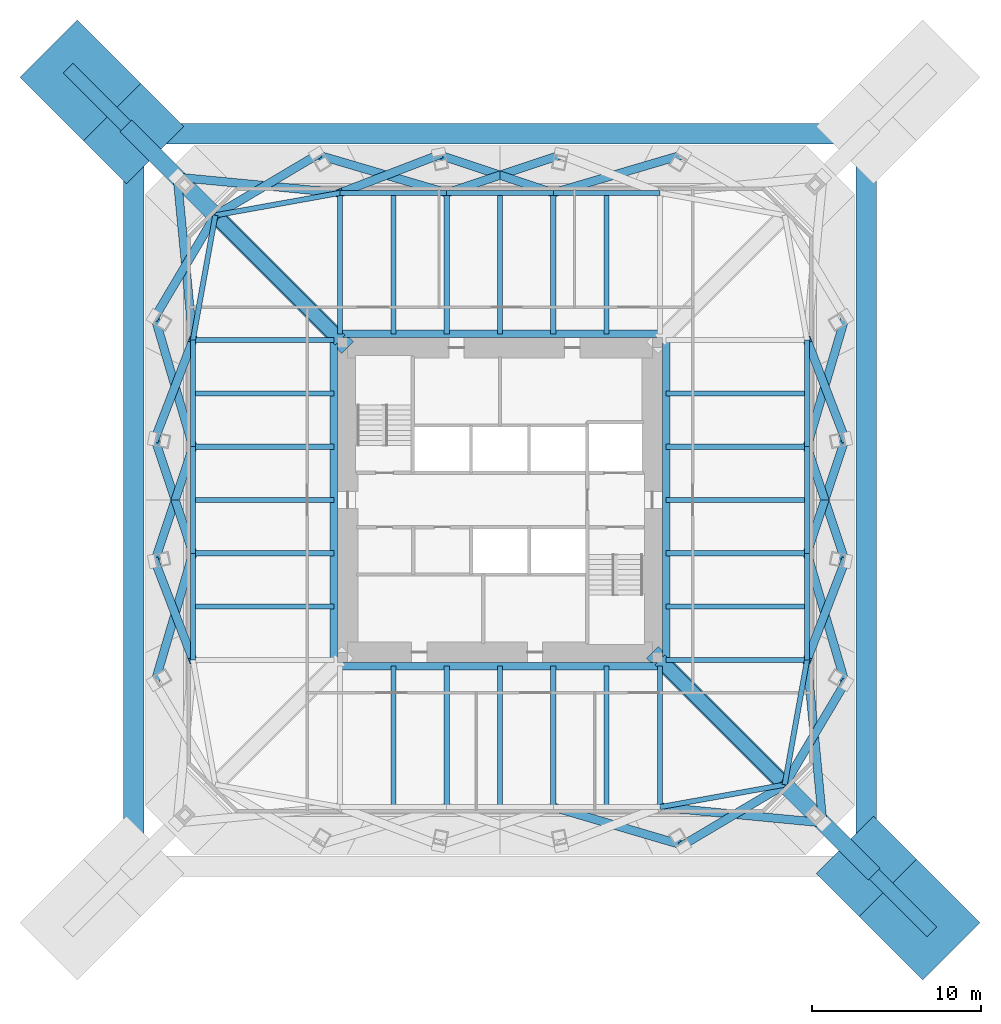
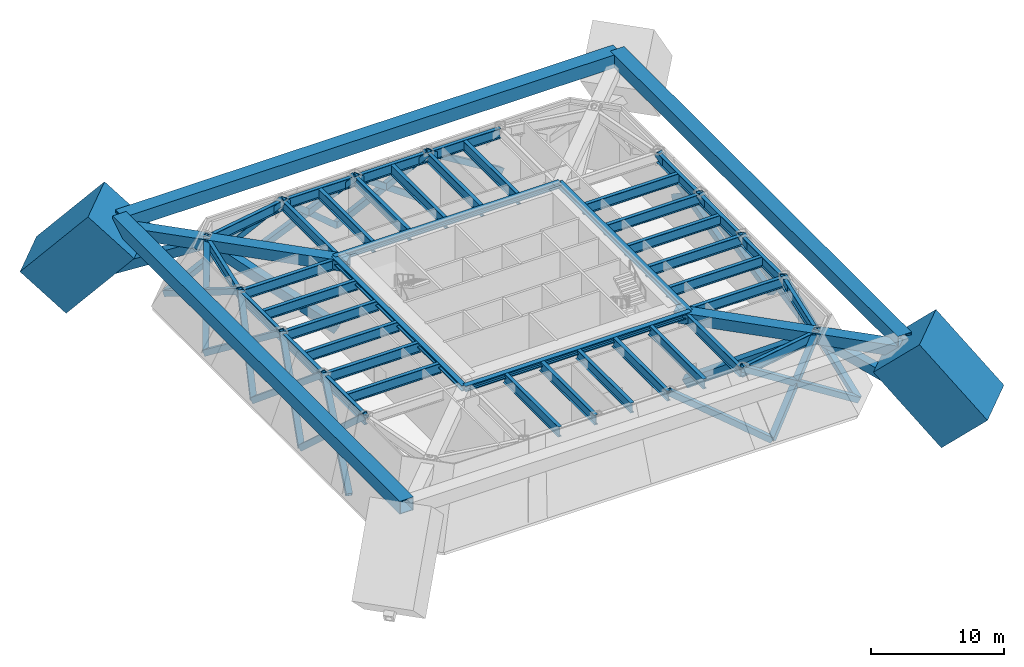
# One storey, part 2 of 6: 41 beams, 39 members.
"""IFC4 building model written with IfcOpenShell, lengths in metres."""

from ifc_helpers import new_model, si_unit, direction, frame, origin, origin_2d, place, context, subcontext, project, spatial, rectangle, hollow_rectangle, i_section, extrude, material, material_profile, profile_set, type_object, element, save


model = new_model("IFC4")

# Units and contexts
model_context = context("Model", 3, precision=1e-05, world=origin(), true_north=direction((0.0, 1.0)))
body_context = subcontext(model_context, "Body", "Model", "MODEL_VIEW")
ifc_project = project(units=[si_unit("LENGTHUNIT", "METRE"), si_unit("AREAUNIT", "SQUARE_METRE"), si_unit("VOLUMEUNIT", "CUBIC_METRE"), si_unit("PLANEANGLEUNIT", "RADIAN"), si_unit("MASSUNIT", "GRAM", prefix="KILO")], contexts=[model_context])

# Site, building, storey
site_placement = place(None, origin())
site = spatial("IfcSite", under=ifc_project, at=site_placement, CompositionType="ELEMENT")
building_placement = place(site_placement, origin())
building = spatial("IfcBuilding", under=site, at=building_placement, Name="Iwan Alto Co-Living Towers", CompositionType="ELEMENT")
storey_placement = place(building_placement, frame((0.0, 0.0, 143.5)))
storey = spatial("IfcBuildingStorey", under=building, at=storey_placement, Name="L39", CompositionType="ELEMENT", Elevation=143.5)

# Beams
ifc_material_1 = material(Name="Steel ASTM A992 Gr 50", Category="steel")
ifc_material_profile_1 = material_profile(ifc_material_1, i_section(OverallWidth=0.307373046875, OverallDepth=0.927001953125, WebThickness=0.01953125, FlangeThickness=0.031982421875, at=origin_2d()), Name="W36X194")
ifc_profile_set_1 = profile_set([ifc_material_profile_1], Name="Steel ASTM A992 Gr 50")
beam_type_1 = type_object("IfcBeamType", Name="T1 BELT TRUSS CHORD W36X194", PredefinedType="BEAM", material=ifc_profile_set_1)
for number, where, z_axis, x_axis, name in (
    (1, (9.449951171875, -18.14990234375, 5.306396484375), (0.98426263553, 0.17671181143, 0.0), (-0.17671181143, 0.98426263553, 0.0), "T1 edge beam S4 L40"),
    (2, (16.82568359375, -16.82568359375, 5.306396484375), (0.17671181143, 0.98426263553, 0.0), (-0.98426263553, 0.17671181143, 0.0), "T1 edge beam CSE L40"),
):
    element("IfcBeam", number, at=place(storey_placement, frame(where, z_axis=z_axis, x_axis=x_axis)), inside=storey, type_object=beam_type_1, Name=name, PredefinedType="BEAM", context=body_context, shape_type="SweptSolid", body=[
        extrude(i_section(OverallWidth=0.307373046875, OverallDepth=0.927001953125, WebThickness=0.01953125, FlangeThickness=0.031982421875, at=origin_2d()), origin(), (0.0, 0.0, 1.0), 7.49365234375),
    ])
beam_1_placement = place(storey_placement, frame((18.14990234375, -9.449951171875, 5.306396484375), z_axis=(0.0, 1.0, 0.0), x_axis=(-1.0, 0.0, 0.0)))
element("IfcBeam", 3, at=beam_1_placement, inside=storey, type_object=beam_type_1, Name="T1 edge beam E1 L40", PredefinedType="BEAM", context=body_context, shape_type="SweptSolid", body=[
    extrude(i_section(OverallWidth=0.307373046875, OverallDepth=0.927001953125, WebThickness=0.01953125, FlangeThickness=0.031982421875, at=origin_2d()), origin(), (0.0, 0.0, 1.0), 6.300048828125),
])
beam_2_placement = place(storey_placement, frame((18.14990234375, -3.14990234375, 5.306396484375), z_axis=(0.0, 1.0, 0.0), x_axis=(-1.0, 0.0, 0.0)))
element("IfcBeam", 4, at=beam_2_placement, inside=storey, type_object=beam_type_1, Name="T1 edge beam E2 L40", PredefinedType="BEAM", context=body_context, shape_type="SweptSolid", body=[
    extrude(i_section(OverallWidth=0.307373046875, OverallDepth=0.927001953125, WebThickness=0.01953125, FlangeThickness=0.031982421875, at=origin_2d()), origin(), (0.0, 0.0, 1.0), 6.2998046875),
])
for number, where, z_axis, x_axis, name in (
    (5, (18.14990234375, 3.14990234375, 5.306396484375), (0.0, 1.0, 0.0), (-1.0, 0.0, 0.0), "T1 edge beam E3 L40"),
    (6, (9.449951171875, 18.14990234375, 5.306396484375), (-1.0, 0.0, 0.0), (0.0, -1.0, 0.0), "T1 edge beam N1 L40"),
):
    element("IfcBeam", number, at=place(storey_placement, frame(where, z_axis=z_axis, x_axis=x_axis)), inside=storey, type_object=beam_type_1, Name=name, PredefinedType="BEAM", context=body_context, shape_type="SweptSolid", body=[
        extrude(i_section(OverallWidth=0.307373046875, OverallDepth=0.927001953125, WebThickness=0.01953125, FlangeThickness=0.031982421875, at=origin_2d()), origin(), (0.0, 0.0, 1.0), 6.300048828125),
    ])
beam_3_placement = place(storey_placement, frame((3.14990234375, 18.14990234375, 5.306396484375), z_axis=(-1.0, 0.0, 0.0), x_axis=(0.0, -1.0, 0.0)))
element("IfcBeam", 7, at=beam_3_placement, inside=storey, type_object=beam_type_1, Name="T1 edge beam N2 L40", PredefinedType="BEAM", context=body_context, shape_type="SweptSolid", body=[
    extrude(i_section(OverallWidth=0.307373046875, OverallDepth=0.927001953125, WebThickness=0.01953125, FlangeThickness=0.031982421875, at=origin_2d()), origin(), (0.0, 0.0, 1.0), 6.2998046875),
])
beam_4_placement = place(storey_placement, frame((-3.14990234375, 18.14990234375, 5.306396484375), z_axis=(-1.0, 0.0, 0.0), x_axis=(0.0, -1.0, 0.0)))
element("IfcBeam", 8, at=beam_4_placement, inside=storey, type_object=beam_type_1, Name="T1 edge beam N3 L40", PredefinedType="BEAM", context=body_context, shape_type="SweptSolid", body=[
    extrude(i_section(OverallWidth=0.307373046875, OverallDepth=0.927001953125, WebThickness=0.01953125, FlangeThickness=0.031982421875, at=origin_2d()), origin(), (0.0, 0.0, 1.0), 6.300048828125),
])
for number, where, z_axis, x_axis, name in (
    (9, (-9.449951171875, 18.14990234375, 5.306396484375), (-0.98426263553, -0.17671181143, 0.0), (0.17671181143, -0.98426263553, 0.0), "T1 edge beam N4 L40"),
    (10, (-16.82568359375, 16.82568359375, 5.306396484375), (-0.17671181143, -0.98426263553, 0.0), (0.98426263553, -0.17671181143, 0.0), "T1 edge beam CNW L40"),
):
    element("IfcBeam", number, at=place(storey_placement, frame(where, z_axis=z_axis, x_axis=x_axis)), inside=storey, type_object=beam_type_1, Name=name, PredefinedType="BEAM", context=body_context, shape_type="SweptSolid", body=[
        extrude(i_section(OverallWidth=0.307373046875, OverallDepth=0.927001953125, WebThickness=0.01953125, FlangeThickness=0.031982421875, at=origin_2d()), origin(), (0.0, 0.0, 1.0), 7.49365234375),
    ])
beam_5_placement = place(storey_placement, frame((-18.14990234375, 9.449951171875, 5.306396484375), z_axis=(0.0, -1.0, 0.0), x_axis=(1.0, 0.0, 0.0)))
element("IfcBeam", 11, at=beam_5_placement, inside=storey, type_object=beam_type_1, Name="T1 edge beam W1 L40", PredefinedType="BEAM", context=body_context, shape_type="SweptSolid", body=[
    extrude(i_section(OverallWidth=0.307373046875, OverallDepth=0.927001953125, WebThickness=0.01953125, FlangeThickness=0.031982421875, at=origin_2d()), origin(), (0.0, 0.0, 1.0), 6.300048828125),
])
beam_6_placement = place(storey_placement, frame((-18.14990234375, 3.14990234375, 5.306396484375), z_axis=(0.0, -1.0, 0.0), x_axis=(1.0, 0.0, 0.0)))
element("IfcBeam", 12, at=beam_6_placement, inside=storey, type_object=beam_type_1, Name="T1 edge beam W2 L40", PredefinedType="BEAM", context=body_context, shape_type="SweptSolid", body=[
    extrude(i_section(OverallWidth=0.307373046875, OverallDepth=0.927001953125, WebThickness=0.01953125, FlangeThickness=0.031982421875, at=origin_2d()), origin(), (0.0, 0.0, 1.0), 6.2998046875),
])
beam_7_placement = place(storey_placement, frame((-18.14990234375, -3.14990234375, 5.306396484375), z_axis=(0.0, -1.0, 0.0), x_axis=(1.0, 0.0, 0.0)))
element("IfcBeam", 13, at=beam_7_placement, inside=storey, type_object=beam_type_1, Name="T1 edge beam W3 L40", PredefinedType="BEAM", context=body_context, shape_type="SweptSolid", body=[
    extrude(i_section(OverallWidth=0.307373046875, OverallDepth=0.927001953125, WebThickness=0.01953125, FlangeThickness=0.031982421875, at=origin_2d()), origin(), (0.0, 0.0, 1.0), 6.300048828125),
])

# Members
ifc_material_2 = material(Name="Steel ASTM A572 Gr 50", Category="steel")
ifc_material_profile_2 = material_profile(ifc_material_2, hollow_rectangle(XDim=0.5, YDim=0.5, WallThickness=0.031982421875, at=origin_2d()), Name="BOX 500X500X32")
ifc_profile_set_2 = profile_set([ifc_material_profile_2], Name="Steel ASTM A572 Gr 50")
member_type_1 = type_object("IfcMemberType", Name="T1 BELT TRUSS DIAGONAL BOX 500X500X32", PredefinedType="BRACE", material=ifc_profile_set_2)
member_1_placement = place(storey_placement, frame((10.800048828125, -20.39990234375, 0.0), z_axis=(-0.780478146102, 0.229548000462, 0.58151661966), x_axis=(-0.28216135125, -0.959366964128, 0.0)))
element("IfcMember", 14, at=member_1_placement, inside=storey, type_object=member_type_1, Name="T1 belt truss diagonal S3 L39 2", PredefinedType="BRACE", context=body_context, shape_type="SweptSolid", body=[
    extrude(hollow_rectangle(XDim=0.5, YDim=0.5, WallThickness=0.031982421875, at=origin_2d()), origin(), (0.0, 0.0, 1.0), 9.8017578125),
])
member_2_placement = place(storey_placement, frame((10.800048828125, -20.39990234375, 0.0), z_axis=(0.667160357396, 0.395738731505, 0.631100557681), x_axis=(-0.510169146112, 0.860074091201, 0.0)))
element("IfcMember", 15, at=member_2_placement, inside=storey, type_object=member_type_1, Name="T1 belt truss diagonal S4 L39 1", PredefinedType="BRACE", context=body_context, shape_type="SweptSolid", body=[
    extrude(hollow_rectangle(XDim=0.5, YDim=0.5, WallThickness=0.031982421875, at=origin_2d()), origin(), (0.0, 0.0, 1.0), 9.03173828125),
])
for number, where, z_axis, x_axis, name in (
    (16, (19.07568359375, -19.07568359375, 0.0), (-0.857524184509, 0.082474743391, 0.507789513169), (-0.09573597896, -0.99540676225, 0.0), "T1 belt truss diagonal S4 L39 2"),
    (17, (19.07568359375, -19.07568359375, 0.0), (-0.082474743391, 0.857524184509, 0.507789513169), (-0.99540676225, -0.09573597896, 0.0), "T1 belt truss diagonal CSE L39 1"),
):
    element("IfcMember", number, at=place(storey_placement, frame(where, z_axis=z_axis, x_axis=x_axis)), inside=storey, type_object=member_type_1, Name=name, PredefinedType="BRACE", context=body_context, shape_type="SweptSolid", body=[
        extrude(hollow_rectangle(XDim=0.5, YDim=0.5, WallThickness=0.031982421875, at=origin_2d()), origin(), (0.0, 0.0, 1.0), 11.22509765625),
    ])
member_3_placement = place(storey_placement, frame((20.39990234375, -10.800048828125, 0.0), z_axis=(-0.395738731505, -0.667160357396, 0.631100557681), x_axis=(0.860074091201, -0.510169146112, 0.0)))
element("IfcMember", 18, at=member_3_placement, inside=storey, type_object=member_type_1, Name="T1 belt truss diagonal CSE L39 2", PredefinedType="BRACE", context=body_context, shape_type="SweptSolid", body=[
    extrude(hollow_rectangle(XDim=0.5, YDim=0.5, WallThickness=0.031982421875, at=origin_2d()), origin(), (0.0, 0.0, 1.0), 9.03173828125),
])
member_4_placement = place(storey_placement, frame((20.39990234375, -10.800048828125, 0.0), z_axis=(-0.229548000462, 0.780478146102, 0.58151661966), x_axis=(-0.959366964128, -0.28216135125, 0.0)))
element("IfcMember", 19, at=member_4_placement, inside=storey, type_object=member_type_1, Name="T1 belt truss diagonal E1 L39 1", PredefinedType="BRACE", context=body_context, shape_type="SweptSolid", body=[
    extrude(hollow_rectangle(XDim=0.5, YDim=0.5, WallThickness=0.031982421875, at=origin_2d()), origin(), (0.0, 0.0, 1.0), 9.8017578125),
])
member_5_placement = place(storey_placement, frame((20.39990234375, -3.60009765625, 0.0), z_axis=(-0.265584537622, -0.690502507157, 0.672808398422), x_axis=(0.933342594373, -0.358986909968, 0.0)))
element("IfcMember", 20, at=member_5_placement, inside=storey, type_object=member_type_1, Name="T1 belt truss diagonal E1 L39 2", PredefinedType="BRACE", context=body_context, shape_type="SweptSolid", body=[
    extrude(hollow_rectangle(XDim=0.5, YDim=0.5, WallThickness=0.031982421875, at=origin_2d()), origin(), (0.0, 0.0, 1.0), 8.471923828125),
])
for number, where, z_axis, x_axis, name in (
    (21, (20.39990234375, -3.60009765625, 0.0), (-0.246799495612, 0.740398486837, 0.625220032993), (-0.948683298051, -0.316227766017, 0.0), "T1 belt truss diagonal E2 L39 1"),
    (22, (20.39990234375, 3.60009765625, 0.0), (-0.246799495612, -0.740398486837, 0.625220032993), (0.948683298051, -0.316227766017, 0.0), "T1 belt truss diagonal E2 L39 2"),
):
    element("IfcMember", number, at=place(storey_placement, frame(where, z_axis=z_axis, x_axis=x_axis)), inside=storey, type_object=member_type_1, Name=name, PredefinedType="BRACE", context=body_context, shape_type="SweptSolid", body=[
        extrude(hollow_rectangle(XDim=0.5, YDim=0.5, WallThickness=0.031982421875, at=origin_2d()), origin(), (0.0, 0.0, 1.0), 9.11669921875),
    ])
member_6_placement = place(storey_placement, frame((20.39990234375, 3.60009765625, 0.0), z_axis=(-0.265584537622, 0.690502507157, 0.672808398422), x_axis=(-0.933342594373, -0.358986909968, 0.0)))
element("IfcMember", 23, at=member_6_placement, inside=storey, type_object=member_type_1, Name="T1 belt truss diagonal E3 L39 1", PredefinedType="BRACE", context=body_context, shape_type="SweptSolid", body=[
    extrude(hollow_rectangle(XDim=0.5, YDim=0.5, WallThickness=0.031982421875, at=origin_2d()), origin(), (0.0, 0.0, 1.0), 8.471923828125),
])
for number, where, z_axis, x_axis, name in (
    (24, (20.39990234375, 10.800048828125, 0.0), (-0.229548000462, -0.780478146102, 0.58151661966), (0.959366964128, -0.28216135125, 0.0), "T1 belt truss diagonal E3 L39 2"),
    (25, (10.800048828125, 20.39990234375, 0.0), (-0.780478146102, -0.229548000462, 0.58151661966), (0.28216135125, -0.959366964128, 0.0), "T1 belt truss diagonal N1 L39 1"),
):
    element("IfcMember", number, at=place(storey_placement, frame(where, z_axis=z_axis, x_axis=x_axis)), inside=storey, type_object=member_type_1, Name=name, PredefinedType="BRACE", context=body_context, shape_type="SweptSolid", body=[
        extrude(hollow_rectangle(XDim=0.5, YDim=0.5, WallThickness=0.031982421875, at=origin_2d()), origin(), (0.0, 0.0, 1.0), 9.8017578125),
    ])
for number, where, z_axis, x_axis, name in (
    (26, (3.60009765625, 20.39990234375, 0.0), (-0.740398486837, -0.246799495612, 0.625220032993), (0.316227766017, -0.948683298051, 0.0), "T1 belt truss diagonal N2 L39 1"),
    (27, (-3.60009765625, 20.39990234375, 0.0), (0.740398486837, -0.246799495612, 0.625220032993), (0.316227766017, 0.948683298051, 0.0), "T1 belt truss diagonal N2 L39 2"),
):
    element("IfcMember", number, at=place(storey_placement, frame(where, z_axis=z_axis, x_axis=x_axis)), inside=storey, type_object=member_type_1, Name=name, PredefinedType="BRACE", context=body_context, shape_type="SweptSolid", body=[
        extrude(hollow_rectangle(XDim=0.5, YDim=0.5, WallThickness=0.031982421875, at=origin_2d()), origin(), (0.0, 0.0, 1.0), 9.11669921875),
    ])
member_7_placement = place(storey_placement, frame((-3.60009765625, 20.39990234375, 0.0), z_axis=(-0.690502507157, -0.265584537622, 0.672808398422), x_axis=(0.358986909968, -0.933342594373, 0.0)))
element("IfcMember", 28, at=member_7_placement, inside=storey, type_object=member_type_1, Name="T1 belt truss diagonal N3 L39 1", PredefinedType="BRACE", context=body_context, shape_type="SweptSolid", body=[
    extrude(hollow_rectangle(XDim=0.5, YDim=0.5, WallThickness=0.031982421875, at=origin_2d()), origin(), (0.0, 0.0, 1.0), 8.471923828125),
])
member_8_placement = place(storey_placement, frame((-10.800048828125, 20.39990234375, 0.0), z_axis=(0.780478146102, -0.229548000462, 0.58151661966), x_axis=(0.28216135125, 0.959366964128, 0.0)))
element("IfcMember", 29, at=member_8_placement, inside=storey, type_object=member_type_1, Name="T1 belt truss diagonal N3 L39 2", PredefinedType="BRACE", context=body_context, shape_type="SweptSolid", body=[
    extrude(hollow_rectangle(XDim=0.5, YDim=0.5, WallThickness=0.031982421875, at=origin_2d()), origin(), (0.0, 0.0, 1.0), 9.8017578125),
])
member_9_placement = place(storey_placement, frame((-10.800048828125, 20.39990234375, 0.0), z_axis=(-0.667160357396, -0.395738731505, 0.631100557681), x_axis=(0.510169146112, -0.860074091201, 0.0)))
element("IfcMember", 30, at=member_9_placement, inside=storey, type_object=member_type_1, Name="T1 belt truss diagonal N4 L39 1", PredefinedType="BRACE", context=body_context, shape_type="SweptSolid", body=[
    extrude(hollow_rectangle(XDim=0.5, YDim=0.5, WallThickness=0.031982421875, at=origin_2d()), origin(), (0.0, 0.0, 1.0), 9.03173828125),
])
for number, where, z_axis, x_axis, name in (
    (31, (-19.07568359375, 19.07568359375, 0.0), (0.857524184509, -0.082474743391, 0.507789513169), (0.09573597896, 0.99540676225, 0.0), "T1 belt truss diagonal N4 L39 2"),
    (32, (-19.07568359375, 19.07568359375, 0.0), (0.082474743391, -0.857524184509, 0.507789513169), (0.99540676225, 0.09573597896, 0.0), "T1 belt truss diagonal CNW L39 1"),
):
    element("IfcMember", number, at=place(storey_placement, frame(where, z_axis=z_axis, x_axis=x_axis)), inside=storey, type_object=member_type_1, Name=name, PredefinedType="BRACE", context=body_context, shape_type="SweptSolid", body=[
        extrude(hollow_rectangle(XDim=0.5, YDim=0.5, WallThickness=0.031982421875, at=origin_2d()), origin(), (0.0, 0.0, 1.0), 11.22509765625),
    ])
member_10_placement = place(storey_placement, frame((-20.39990234375, 10.800048828125, 0.0), z_axis=(0.395738731505, 0.667160357396, 0.631100557681), x_axis=(-0.860074091201, 0.510169146112, 0.0)))
element("IfcMember", 33, at=member_10_placement, inside=storey, type_object=member_type_1, Name="T1 belt truss diagonal CNW L39 2", PredefinedType="BRACE", context=body_context, shape_type="SweptSolid", body=[
    extrude(hollow_rectangle(XDim=0.5, YDim=0.5, WallThickness=0.031982421875, at=origin_2d()), origin(), (0.0, 0.0, 1.0), 9.03173828125),
])
member_11_placement = place(storey_placement, frame((-20.39990234375, 10.800048828125, 0.0), z_axis=(0.229548000462, -0.780478146102, 0.58151661966), x_axis=(0.959366964128, 0.28216135125, 0.0)))
element("IfcMember", 34, at=member_11_placement, inside=storey, type_object=member_type_1, Name="T1 belt truss diagonal W1 L39 1", PredefinedType="BRACE", context=body_context, shape_type="SweptSolid", body=[
    extrude(hollow_rectangle(XDim=0.5, YDim=0.5, WallThickness=0.031982421875, at=origin_2d()), origin(), (0.0, 0.0, 1.0), 9.8017578125),
])
member_12_placement = place(storey_placement, frame((-20.39990234375, 3.60009765625, 0.0), z_axis=(0.265584537622, 0.690502507157, 0.672808398422), x_axis=(-0.933342594373, 0.358986909968, 0.0)))
element("IfcMember", 35, at=member_12_placement, inside=storey, type_object=member_type_1, Name="T1 belt truss diagonal W1 L39 2", PredefinedType="BRACE", context=body_context, shape_type="SweptSolid", body=[
    extrude(hollow_rectangle(XDim=0.5, YDim=0.5, WallThickness=0.031982421875, at=origin_2d()), origin(), (0.0, 0.0, 1.0), 8.471923828125),
])
for number, where, z_axis, x_axis, name in (
    (36, (-20.39990234375, 3.60009765625, 0.0), (0.246799495612, -0.740398486837, 0.625220032993), (0.948683298051, 0.316227766017, 0.0), "T1 belt truss diagonal W2 L39 1"),
    (37, (-20.39990234375, -3.60009765625, 0.0), (0.246799495612, 0.740398486837, 0.625220032993), (-0.948683298051, 0.316227766017, 0.0), "T1 belt truss diagonal W2 L39 2"),
):
    element("IfcMember", number, at=place(storey_placement, frame(where, z_axis=z_axis, x_axis=x_axis)), inside=storey, type_object=member_type_1, Name=name, PredefinedType="BRACE", context=body_context, shape_type="SweptSolid", body=[
        extrude(hollow_rectangle(XDim=0.5, YDim=0.5, WallThickness=0.031982421875, at=origin_2d()), origin(), (0.0, 0.0, 1.0), 9.11669921875),
    ])
member_13_placement = place(storey_placement, frame((-20.39990234375, -3.60009765625, 0.0), z_axis=(0.265584537622, -0.690502507157, 0.672808398422), x_axis=(0.933342594373, 0.358986909968, 0.0)))
element("IfcMember", 38, at=member_13_placement, inside=storey, type_object=member_type_1, Name="T1 belt truss diagonal W3 L39 1", PredefinedType="BRACE", context=body_context, shape_type="SweptSolid", body=[
    extrude(hollow_rectangle(XDim=0.5, YDim=0.5, WallThickness=0.031982421875, at=origin_2d()), origin(), (0.0, 0.0, 1.0), 8.471923828125),
])
member_14_placement = place(storey_placement, frame((-20.39990234375, -10.800048828125, 0.0), z_axis=(0.229548000462, 0.780478146102, 0.58151661966), x_axis=(-0.959366964128, 0.28216135125, 0.0)))
element("IfcMember", 39, at=member_14_placement, inside=storey, type_object=member_type_1, Name="T1 belt truss diagonal W3 L39 2", PredefinedType="BRACE", context=body_context, shape_type="SweptSolid", body=[
    extrude(hollow_rectangle(XDim=0.5, YDim=0.5, WallThickness=0.031982421875, at=origin_2d()), origin(), (0.0, 0.0, 1.0), 9.8017578125),
])

# Beams
ifc_material_3 = material(Name="Steel ASTM A992 Gr 50", Category="steel")
ifc_material_profile_3 = material_profile(ifc_material_3, i_section(OverallWidth=0.436767578125, OverallDepth=0.51318359375, WebThickness=0.060546875, FlangeThickness=0.096923828125, at=origin_2d()), Name="W14X550")
ifc_profile_set_3 = profile_set([ifc_material_profile_3], Name="Steel ASTM A992 Gr 50")
beam_type_2 = type_object("IfcBeamType", Name="T1 CORE LEDGER BEAM W14X550", PredefinedType="BEAM", material=ifc_profile_set_3)
for number, where, z_axis, x_axis, name in (
    (40, (-9.818359375, -9.818359375, 5.513427734375), (1.0, 0.0, 0.0), (0.0, 1.0, 0.0), "T1 core ledger beam S L40"),
    (41, (9.818359375, -9.818359375, 5.513427734375), (0.0, 1.0, 0.0), (-1.0, 0.0, 0.0), "T1 core ledger beam E L40"),
    (42, (9.818359375, 9.818359375, 5.513427734375), (-1.0, 0.0, 0.0), (0.0, -1.0, 0.0), "T1 core ledger beam N L40"),
    (43, (-9.818359375, 9.818359375, 5.513427734375), (0.0, -1.0, 0.0), (1.0, 0.0, 0.0), "T1 core ledger beam W L40"),
):
    element("IfcBeam", number, at=place(storey_placement, frame(where, z_axis=z_axis, x_axis=x_axis)), inside=storey, type_object=beam_type_2, Name=name, PredefinedType="BEAM", context=body_context, shape_type="SweptSolid", body=[
        extrude(i_section(OverallWidth=0.436767578125, OverallDepth=0.51318359375, WebThickness=0.060546875, FlangeThickness=0.096923828125, at=origin_2d()), origin(), (0.0, 0.0, 1.0), 19.63671875),
    ])

# Members
ifc_material_4 = material(Name="Steel ASTM A572 Gr 50", Category="steel")
ifc_material_profile_4 = material_profile(ifc_material_4, hollow_rectangle(XDim=1.199951171875, YDim=1.199951171875, WallThickness=0.070068359375, at=origin_2d()), Name="BOX 1200X1200X70")
ifc_profile_set_4 = profile_set([ifc_material_profile_4], Name="Steel ASTM A572 Gr 50")
member_type_2 = type_object("IfcMemberType", Name="T1 MEGA BELT TIE BOX 1200X1200X70", PredefinedType="STRUT", material=ifc_profile_set_4)
for number, where, z_axis, x_axis, name in (
    (44, (21.64990234375, -21.64990234375, 6.0), (0.0, 1.0, 0.0), (-1.0, 0.0, 0.0), "T1 mega belt tie E L40"),
    (45, (21.64990234375, 21.64990234375, 6.0), (-1.0, 0.0, 0.0), (0.0, -1.0, 0.0), "T1 mega belt tie N L40"),
    (46, (-21.64990234375, 21.64990234375, 6.0), (0.0, -1.0, 0.0), (1.0, 0.0, 0.0), "T1 mega belt tie W L40"),
):
    element("IfcMember", number, at=place(storey_placement, frame(where, z_axis=z_axis, x_axis=x_axis)), inside=storey, type_object=member_type_2, Name=name, PredefinedType="STRUT", context=body_context, shape_type="SweptSolid", body=[
        extrude(hollow_rectangle(XDim=1.199951171875, YDim=1.199951171875, WallThickness=0.070068359375, at=origin_2d()), origin(), (0.0, 0.0, 1.0), 43.2998046875),
    ])
ifc_material_5 = material(Name="Steel ASTM A572 Gr 50", Category="steel")
ifc_material_profile_5 = material_profile(ifc_material_5, hollow_rectangle(XDim=1.0, YDim=1.0, WallThickness=0.070068359375, at=origin_2d()), Name="BOX 1000X1000X70")
ifc_profile_set_5 = profile_set([ifc_material_profile_5], Name="Steel ASTM A572 Gr 50")
member_type_3 = type_object("IfcMemberType", Name="T1 OUTRIGGER CHORD BOX 1000X1000X70", PredefinedType="CHORD", material=ifc_profile_set_5)
member_15_placement = place(storey_placement, frame((9.0, -9.0, 5.27001953125), z_axis=(0.707106781187, -0.707106781187, 0.0), x_axis=(0.707106781187, 0.707106781187, 0.0)))
element("IfcMember", 47, at=member_15_placement, inside=storey, type_object=member_type_3, Name="T1 outrigger SE L39 top chord 1", PredefinedType="CHORD", context=body_context, shape_type="SweptSolid", body=[
    extrude(hollow_rectangle(XDim=1.0, YDim=1.0, WallThickness=0.070068359375, at=origin_2d()), origin(), (0.0, 0.0, 1.0), 11.067138671875),
])
member_16_placement = place(storey_placement, frame((16.82568359375, -16.82568359375, 5.27001953125), z_axis=(0.707106781187, -0.707106781187, 0.0), x_axis=(0.707106781187, 0.707106781187, 0.0)))
element("IfcMember", 48, at=member_16_placement, inside=storey, type_object=member_type_3, Name="T1 outrigger SE L39 top chord 2", PredefinedType="CHORD", context=body_context, shape_type="SweptSolid", body=[
    extrude(hollow_rectangle(XDim=1.0, YDim=1.0, WallThickness=0.070068359375, at=origin_2d()), origin(), (0.0, 0.0, 1.0), 7.4677734375),
])
member_17_placement = place(storey_placement, frame((-9.0, 9.0, 5.27001953125), z_axis=(-0.707106781187, 0.707106781187, 0.0), x_axis=(-0.707106781187, -0.707106781187, 0.0)))
element("IfcMember", 49, at=member_17_placement, inside=storey, type_object=member_type_3, Name="T1 outrigger NW L39 top chord 1", PredefinedType="CHORD", context=body_context, shape_type="SweptSolid", body=[
    extrude(hollow_rectangle(XDim=1.0, YDim=1.0, WallThickness=0.070068359375, at=origin_2d()), origin(), (0.0, 0.0, 1.0), 11.067138671875),
])
member_18_placement = place(storey_placement, frame((-16.82568359375, 16.82568359375, 5.27001953125), z_axis=(-0.707106781187, 0.707106781187, 0.0), x_axis=(-0.707106781187, -0.707106781187, 0.0)))
element("IfcMember", 50, at=member_18_placement, inside=storey, type_object=member_type_3, Name="T1 outrigger NW L39 top chord 2", PredefinedType="CHORD", context=body_context, shape_type="SweptSolid", body=[
    extrude(hollow_rectangle(XDim=1.0, YDim=1.0, WallThickness=0.070068359375, at=origin_2d()), origin(), (0.0, 0.0, 1.0), 7.4677734375),
])
ifc_material_6 = material(Name="Steel ASTM A572 Gr 42", Category="steel")
ifc_material_profile_6 = material_profile(ifc_material_6, hollow_rectangle(XDim=0.800048828125, YDim=0.800048828125, WallThickness=0.139892578125, at=origin_2d()), Name="BOX 800X800X140")
ifc_profile_set_6 = profile_set([ifc_material_profile_6], Name="Steel ASTM A572 Gr 42")
member_type_4 = type_object("IfcMemberType", Name="T1 OUTRIGGER DIAGONAL BOX 800X800X140", PredefinedType="BRACE", material=ifc_profile_set_6)
member_19_placement = place(storey_placement, frame((9.60009765625, -9.60009765625, -0.800048828125), z_axis=(0.607935427787, -0.607935427787, 0.51071423642), x_axis=(0.707106781187, 0.707106781187, 0.0)))
element("IfcMember", 51, at=member_19_placement, inside=storey, type_object=member_type_4, Name="T1 outrigger SE L39 diagonal 1", PredefinedType="BRACE", context=body_context, shape_type="SweptSolid", body=[
    extrude(hollow_rectangle(XDim=0.800048828125, YDim=0.800048828125, WallThickness=0.139892578125, at=origin_2d()), origin(), (0.0, 0.0, 1.0), 11.885498046875),
])
member_20_placement = place(storey_placement, frame((16.82568359375, -16.82568359375, 5.27001953125), z_axis=(0.632305696112, -0.632305696112, -0.447637144716), x_axis=(0.707106781187, 0.707106781187, 0.0)))
element("IfcMember", 52, at=member_20_placement, inside=storey, type_object=member_type_4, Name="T1 outrigger SE L39 diagonal 2", PredefinedType="BRACE", context=body_context, shape_type="SweptSolid", body=[
    extrude(hollow_rectangle(XDim=0.800048828125, YDim=0.800048828125, WallThickness=0.139892578125, at=origin_2d()), origin(), (0.0, 0.0, 1.0), 13.560302734375),
])
member_21_placement = place(storey_placement, frame((-9.60009765625, 9.60009765625, -0.800048828125), z_axis=(-0.607935427787, 0.607935427787, 0.51071423642), x_axis=(-0.707106781187, -0.707106781187, 0.0)))
element("IfcMember", 53, at=member_21_placement, inside=storey, type_object=member_type_4, Name="T1 outrigger NW L39 diagonal 1", PredefinedType="BRACE", context=body_context, shape_type="SweptSolid", body=[
    extrude(hollow_rectangle(XDim=0.800048828125, YDim=0.800048828125, WallThickness=0.139892578125, at=origin_2d()), origin(), (0.0, 0.0, 1.0), 11.885498046875),
])
member_22_placement = place(storey_placement, frame((-16.82568359375, 16.82568359375, 5.27001953125), z_axis=(-0.632305696112, 0.632305696112, -0.447637144716), x_axis=(-0.707106781187, -0.707106781187, 0.0)))
element("IfcMember", 54, at=member_22_placement, inside=storey, type_object=member_type_4, Name="T1 outrigger NW L39 diagonal 2", PredefinedType="BRACE", context=body_context, shape_type="SweptSolid", body=[
    extrude(hollow_rectangle(XDim=0.800048828125, YDim=0.800048828125, WallThickness=0.139892578125, at=origin_2d()), origin(), (0.0, 0.0, 1.0), 13.560302734375),
])

# Beams
ifc_material_7 = material(Name="Steel ASTM A992 Gr 50", Category="steel")
ifc_material_profile_7 = material_profile(ifc_material_7, i_section(OverallWidth=0.307373046875, OverallDepth=0.927001953125, WebThickness=0.01953125, FlangeThickness=0.031982421875, at=origin_2d()), Name="W36X194")
ifc_profile_set_7 = profile_set([ifc_material_profile_7], Name="Steel ASTM A992 Gr 50")
beam_type_3 = type_object("IfcBeamType", Name="T1 RADIAL BEAM W36X194", PredefinedType="BEAM", material=ifc_profile_set_7)
for number, where, z_axis, x_axis, name in (
    (55, (-3.14990234375, -18.14990234375, 5.306396484375), (0.0, 1.0, 0.0), (-1.0, 0.0, 0.0), "T1 radial beam S2 L40"),
    (56, (3.14990234375, -18.14990234375, 5.306396484375), (0.0, 1.0, 0.0), (-1.0, 0.0, 0.0), "T1 radial beam S3 L40"),
    (57, (9.449951171875, -18.14990234375, 5.306396484375), (0.0, 1.0, 0.0), (-1.0, 0.0, 0.0), "T1 radial beam S4 L40"),
    (58, (18.14990234375, -9.449951171875, 5.306396484375), (-1.0, 0.0, 0.0), (0.0, -1.0, 0.0), "T1 radial beam E1 L40"),
    (59, (18.14990234375, -3.14990234375, 5.306396484375), (-1.0, 0.0, 0.0), (0.0, -1.0, 0.0), "T1 radial beam E2 L40"),
    (60, (18.14990234375, 3.14990234375, 5.306396484375), (-1.0, 0.0, 0.0), (0.0, -1.0, 0.0), "T1 radial beam E3 L40"),
    (61, (3.14990234375, 18.14990234375, 5.306396484375), (0.0, -1.0, 0.0), (1.0, 0.0, 0.0), "T1 radial beam N2 L40"),
    (62, (-3.14990234375, 18.14990234375, 5.306396484375), (0.0, -1.0, 0.0), (1.0, 0.0, 0.0), "T1 radial beam N3 L40"),
    (63, (-9.449951171875, 18.14990234375, 5.306396484375), (0.0, -1.0, 0.0), (1.0, 0.0, 0.0), "T1 radial beam N4 L40"),
    (64, (-18.14990234375, 9.449951171875, 5.306396484375), (1.0, 0.0, 0.0), (0.0, 1.0, 0.0), "T1 radial beam W1 L40"),
    (65, (-18.14990234375, 3.14990234375, 5.306396484375), (1.0, 0.0, 0.0), (0.0, 1.0, 0.0), "T1 radial beam W2 L40"),
    (66, (-18.14990234375, -3.14990234375, 5.306396484375), (1.0, 0.0, 0.0), (0.0, 1.0, 0.0), "T1 radial beam W3 L40"),
):
    element("IfcBeam", number, at=place(storey_placement, frame(where, z_axis=z_axis, x_axis=x_axis)), inside=storey, type_object=beam_type_3, Name=name, PredefinedType="BEAM", context=body_context, shape_type="SweptSolid", body=[
        extrude(i_section(OverallWidth=0.307373046875, OverallDepth=0.927001953125, WebThickness=0.01953125, FlangeThickness=0.031982421875, at=origin_2d()), origin(), (0.0, 0.0, 1.0), 8.33154296875),
    ])

# Members
ifc_material_8 = material(Name="Concrete f'c 70 MPa", Category="concrete")
ifc_material_profile_8 = material_profile(ifc_material_8, rectangle(XDim=4.800048828125, YDim=4.800048828125, at=origin_2d()), Name="RC 4800X4800")
ifc_profile_set_8 = profile_set([ifc_material_profile_8], Name="Concrete f'c 70 MPa")
member_type_5 = type_object("IfcMemberType", Name="T1 RAKING MEGA COLUMN RC 4800X4800", PredefinedType="MEMBER", material=ifc_profile_set_8)
for number, where, z_axis, x_axis, name in (
    (67, (25.39990234375, -25.39990234375, 0.0), (-0.468292905791, 0.468292905791, 0.749268649265), (-0.707106781187, -0.707106781187, 0.0), "T1 raking mega column SE L39"),
    (68, (-25.39990234375, 25.39990234375, 0.0), (0.468292905791, -0.468292905791, 0.749268649265), (0.707106781187, 0.707106781187, 0.0), "T1 raking mega column NW L39"),
):
    element("IfcMember", number, at=place(storey_placement, frame(where, z_axis=z_axis, x_axis=x_axis)), inside=storey, type_object=member_type_5, Name=name, PredefinedType="MEMBER", context=body_context, shape_type="SweptSolid", body=[
        extrude(rectangle(XDim=4.800048828125, YDim=4.800048828125, at=origin_2d()), origin(), (0.0, 0.0, 1.0), 8.0078125),
        extrude(i_section(OverallWidth=0.4775390625, OverallDepth=0.599365234375, WebThickness=0.10009765625, FlangeThickness=0.139892578125, at=origin_2d()), origin(), (0.0, 0.0, 1.0), 8.0078125),
    ])

# Beams
ifc_material_9 = material(Name="Steel ASTM A992 Gr 50", Category="steel")
ifc_material_profile_9 = material_profile(ifc_material_9, i_section(OverallWidth=0.307373046875, OverallDepth=0.927001953125, WebThickness=0.01953125, FlangeThickness=0.031982421875, at=origin_2d()), Name="W36X194")
ifc_profile_set_9 = profile_set([ifc_material_profile_9], Name="Steel ASTM A992 Gr 50")
beam_type_4 = type_object("IfcBeamType", Name="T1 SECONDARY BEAM W36X194", PredefinedType="JOIST", material=ifc_profile_set_9)
for number, where, z_axis, x_axis, name in (
    (69, (-6.300048828125, -18.14990234375, 5.306396484375), (0.0, 1.0, 0.0), (-1.0, 0.0, 0.0), "T1 secondary beam S1 L40"),
    (70, (0.0, -18.14990234375, 5.306396484375), (0.0, 1.0, 0.0), (-1.0, 0.0, 0.0), "T1 secondary beam S2 L40"),
    (71, (6.300048828125, -18.14990234375, 5.306396484375), (0.0, 1.0, 0.0), (-1.0, 0.0, 0.0), "T1 secondary beam S3 L40"),
    (72, (18.14990234375, -6.300048828125, 5.306396484375), (-1.0, 0.0, 0.0), (0.0, -1.0, 0.0), "T1 secondary beam E1 L40"),
    (73, (18.14990234375, 0.0, 5.306396484375), (-1.0, 0.0, 0.0), (0.0, -1.0, 0.0), "T1 secondary beam E2 L40"),
    (74, (18.14990234375, 6.300048828125, 5.306396484375), (-1.0, 0.0, 0.0), (0.0, -1.0, 0.0), "T1 secondary beam E3 L40"),
    (75, (6.300048828125, 18.14990234375, 5.306396484375), (0.0, -1.0, 0.0), (1.0, 0.0, 0.0), "T1 secondary beam N1 L40"),
    (76, (0.0, 18.14990234375, 5.306396484375), (0.0, -1.0, 0.0), (1.0, 0.0, 0.0), "T1 secondary beam N2 L40"),
    (77, (-6.300048828125, 18.14990234375, 5.306396484375), (0.0, -1.0, 0.0), (1.0, 0.0, 0.0), "T1 secondary beam N3 L40"),
    (78, (-18.14990234375, 6.300048828125, 5.306396484375), (1.0, 0.0, 0.0), (0.0, 1.0, 0.0), "T1 secondary beam W1 L40"),
    (79, (-18.14990234375, 0.0, 5.306396484375), (1.0, 0.0, 0.0), (0.0, 1.0, 0.0), "T1 secondary beam W2 L40"),
    (80, (-18.14990234375, -6.300048828125, 5.306396484375), (1.0, 0.0, 0.0), (0.0, 1.0, 0.0), "T1 secondary beam W3 L40"),
):
    element("IfcBeam", number, at=place(storey_placement, frame(where, z_axis=z_axis, x_axis=x_axis)), inside=storey, type_object=beam_type_4, Name=name, PredefinedType="JOIST", context=body_context, shape_type="SweptSolid", body=[
        extrude(i_section(OverallWidth=0.307373046875, OverallDepth=0.927001953125, WebThickness=0.01953125, FlangeThickness=0.031982421875, at=origin_2d()), origin(), (0.0, 0.0, 1.0), 8.33154296875),
    ])

save(model, "model.ifc")
